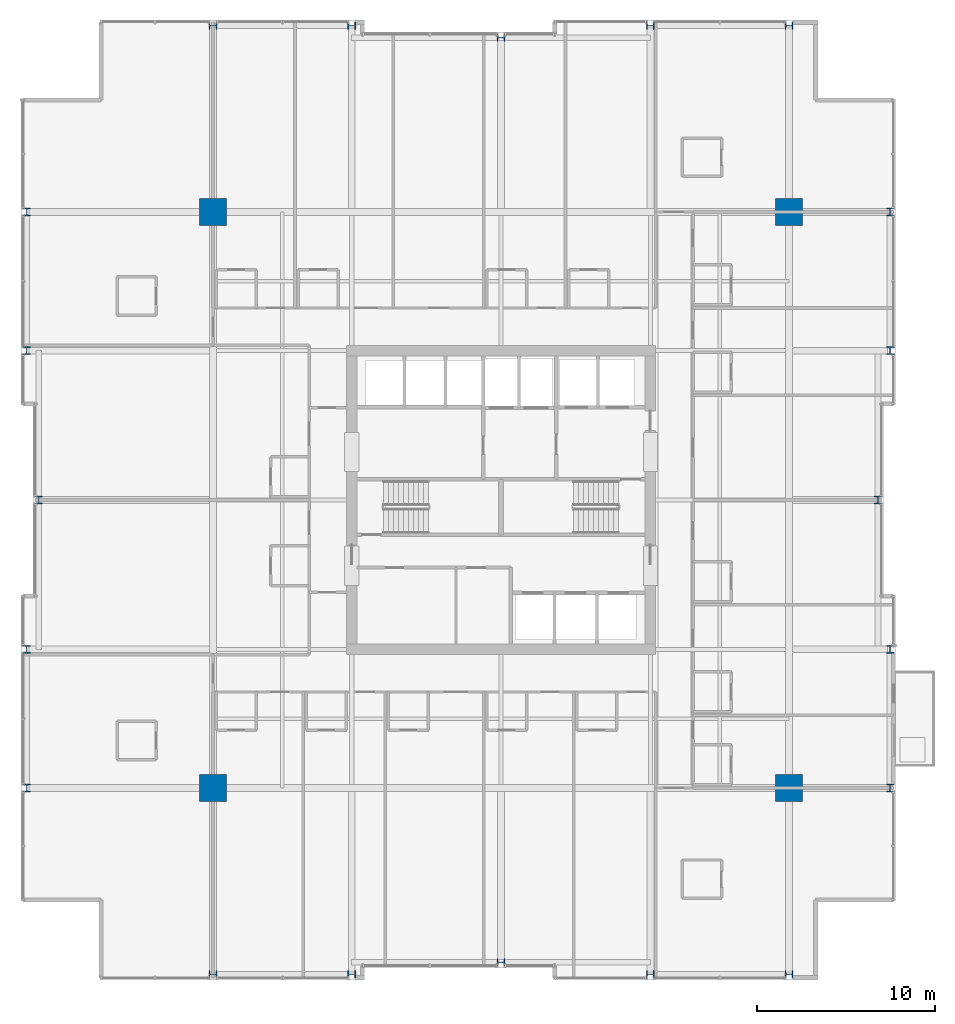
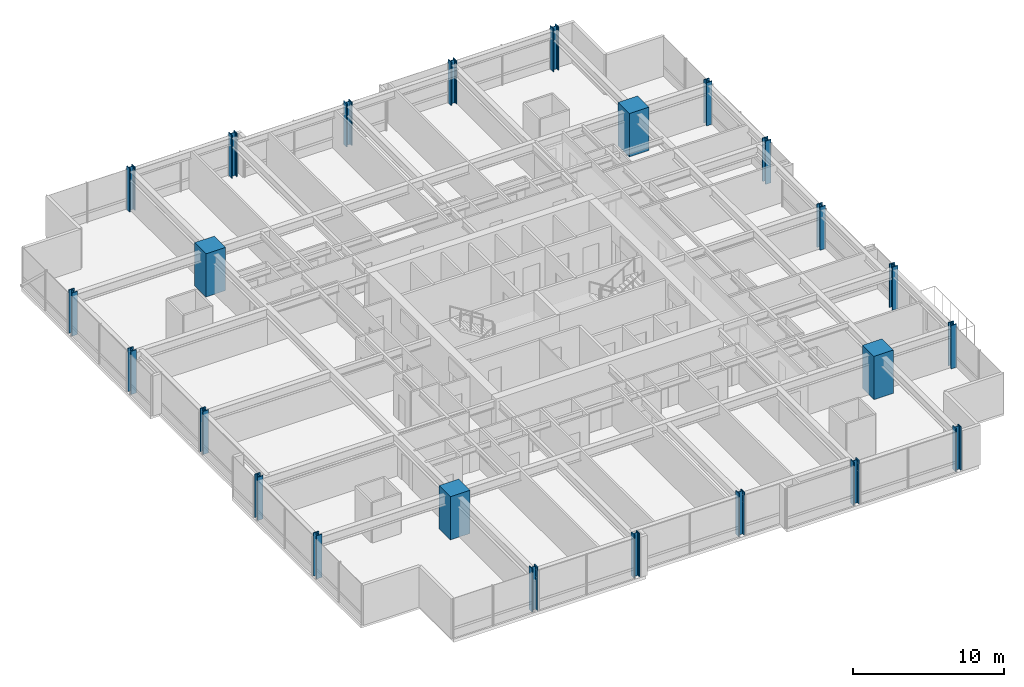
# One storey, part 1 of 34: 24 columns.
"""IFC4 building model written with IfcOpenShell, lengths in metres."""

from ifc_helpers import new_model, si_unit, direction, frame, origin, origin_2d, place, context, subcontext, project, spatial, rectangle, i_section, extrude, material, material_profile, profile_set, type_object, element, save


model = new_model("IFC4")

# Units and contexts
model_context = context("Model", 3, precision=1e-05, world=origin(), true_north=direction((0.0, 1.0)))
body_context = subcontext(model_context, "Body", "Model", "MODEL_VIEW")
ifc_project = project(units=[si_unit("LENGTHUNIT", "METRE"), si_unit("AREAUNIT", "SQUARE_METRE"), si_unit("VOLUMEUNIT", "CUBIC_METRE"), si_unit("PLANEANGLEUNIT", "RADIAN"), si_unit("MASSUNIT", "GRAM", prefix="KILO")], contexts=[model_context])

# Site, building, storey
site_placement = place(None, origin())
site = spatial("IfcSite", under=ifc_project, at=site_placement, CompositionType="ELEMENT")
building_placement = place(site_placement, origin())
building = spatial("IfcBuilding", under=site, at=building_placement, Name="Drelvath Grand Hotel", CompositionType="ELEMENT")
storey_placement = place(building_placement, frame((0.0, 0.0, 91.800048828125)))
storey = spatial("IfcBuildingStorey", under=building, at=storey_placement, Name="L22", CompositionType="ELEMENT", Elevation=91.800048828125)

# Columns
ifc_material_1 = material(Name="Concrete f'c 70 MPa", Category="concrete")
ifc_material_profile_1 = material_profile(ifc_material_1, rectangle(XDim=1.5, YDim=1.5, at=origin_2d()), Name="MC1500X1500")
ifc_profile_set_1 = profile_set([ifc_material_profile_1], Name="Concrete f'c 70 MPa")
column_type_1 = type_object("IfcColumnType", Name="Composite Mega Column MC1500X1500", PredefinedType="COLUMN", material=ifc_profile_set_1)
for number, where, z_axis, x_axis, name in (
    (1, (-16.199951171875, 10.800048828125, 0.0), (0.0, 0.0, 1.0), (1.0, 0.0, 0.0), "L22 Composite Mega Column MC-SW"),
    (2, (16.199951171875, 10.800048828125, 0.0), (0.0, 0.0, 1.0), (1.0, 0.0, 0.0), "L22 Composite Mega Column MC-SE"),
    (3, (-16.199951171875, 43.199951171875, 0.0), (0.0, 0.0, 1.0), (1.0, 0.0, 0.0), "L22 Composite Mega Column MC-NW"),
    (4, (16.199951171875, 43.199951171875, 0.0), (0.0, 0.0, 1.0), (1.0, 0.0, 0.0), "L22 Composite Mega Column MC-NE"),
):
    element("IfcColumn", number, at=place(storey_placement, frame(where, z_axis=z_axis, x_axis=x_axis)), inside=storey, type_object=column_type_1, Name=name, PredefinedType="COLUMN", context=body_context, shape_type="SweptSolid", body=[
        extrude(rectangle(XDim=1.5, YDim=1.5, at=origin_2d()), origin(), (0.0, 0.0, 1.0), 3.5),
    ])
ifc_material_2 = material(Name="Steel ASTM A913 Gr 65", Category="steel")
ifc_material_profile_2 = material_profile(ifc_material_2, i_section(OverallWidth=0.41845703125, OverallDepth=0.455078125, WebThickness=0.0419921875, FlangeThickness=0.067626953125, FilletRadius=0.030029296875, at=origin_2d()), Name="W14X370")
ifc_profile_set_2 = profile_set([ifc_material_profile_2], Name="Steel ASTM A913 Gr 65")
column_type_2 = type_object("IfcColumnType", Name="Perimeter Steel Column W14X370", PredefinedType="COLUMN", material=ifc_profile_set_2)
for number, where, z_axis, x_axis, name in (
    (5, (-26.679931640625, 10.800048828125, 0.0), (0.0, 0.0, 1.0), (1.0, 0.0, 0.0), "L22 Structural Column TCW-C"),
    (6, (21.8798828125, 10.800048828125, 0.0), (0.0, 0.0, 1.0), (1.0, 0.0, 0.0), "L22 Structural Column TCE-C"),
    (7, (-26.679931640625, 18.60009765625, 0.0), (0.0, 0.0, 1.0), (1.0, 0.0, 0.0), "L22 Structural Column TCW-D"),
    (8, (21.8798828125, 18.60009765625, 0.0), (0.0, 0.0, 1.0), (1.0, 0.0, 0.0), "L22 Structural Column TCE-D"),
    (9, (-26.0, 27.0, 0.0), (0.0, 0.0, 1.0), (1.0, 0.0, 0.0), "L22 Structural Column TCW-E"),
    (10, (21.199951171875, 27.0, 0.0), (0.0, 0.0, 1.0), (1.0, 0.0, 0.0), "L22 Structural Column TCE-E"),
    (11, (-26.679931640625, 35.39990234375, 0.0), (0.0, 0.0, 1.0), (1.0, 0.0, 0.0), "L22 Structural Column TCW-F"),
    (12, (21.8798828125, 35.39990234375, 0.0), (0.0, 0.0, 1.0), (1.0, 0.0, 0.0), "L22 Structural Column TCE-F"),
    (13, (-26.679931640625, 43.199951171875, 0.0), (0.0, 0.0, 1.0), (1.0, 0.0, 0.0), "L22 Structural Column TCW-G"),
    (14, (21.8798828125, 43.199951171875, 0.0), (0.0, 0.0, 1.0), (1.0, 0.0, 0.0), "L22 Structural Column TCE-G"),
    (15, (-16.199951171875, 0.320068359375, 0.0), (0.0, 0.0, 1.0), (0.0, 1.0, 0.0), "L22 Structural Column TCS-3"),
    (16, (-16.199951171875, 53.679931640625, 0.0), (0.0, 0.0, 1.0), (0.0, 1.0, 0.0), "L22 Structural Column TCN-3"),
    (17, (-8.39990234375, 0.320068359375, 0.0), (0.0, 0.0, 1.0), (0.0, 1.0, 0.0), "L22 Structural Column TCS-4"),
    (18, (-8.39990234375, 53.679931640625, 0.0), (0.0, 0.0, 1.0), (0.0, 1.0, 0.0), "L22 Structural Column TCN-4"),
    (19, (0.0, 1.0, 0.0), (0.0, 0.0, 1.0), (0.0, 1.0, 0.0), "L22 Structural Column TCS-5"),
    (20, (0.0, 53.0, 0.0), (0.0, 0.0, 1.0), (0.0, 1.0, 0.0), "L22 Structural Column TCN-5"),
    (21, (8.39990234375, 0.320068359375, 0.0), (0.0, 0.0, 1.0), (0.0, 1.0, 0.0), "L22 Structural Column TCS-6"),
    (22, (8.39990234375, 53.679931640625, 0.0), (0.0, 0.0, 1.0), (0.0, 1.0, 0.0), "L22 Structural Column TCN-6"),
    (23, (16.199951171875, 0.320068359375, 0.0), (0.0, 0.0, 1.0), (0.0, 1.0, 0.0), "L22 Structural Column TCS-7"),
    (24, (16.199951171875, 53.679931640625, 0.0), (0.0, 0.0, 1.0), (0.0, 1.0, 0.0), "L22 Structural Column TCN-7"),
):
    element("IfcColumn", number, at=place(storey_placement, frame(where, z_axis=z_axis, x_axis=x_axis)), inside=storey, type_object=column_type_2, Name=name, PredefinedType="COLUMN", context=body_context, shape_type="SweptSolid", body=[
        extrude(i_section(OverallWidth=0.41845703125, OverallDepth=0.455078125, WebThickness=0.0419921875, FlangeThickness=0.067626953125, FilletRadius=0.030029296875, at=origin_2d()), origin(), (0.0, 0.0, 1.0), 3.4970703125),
    ])

save(model, "model.ifc")
